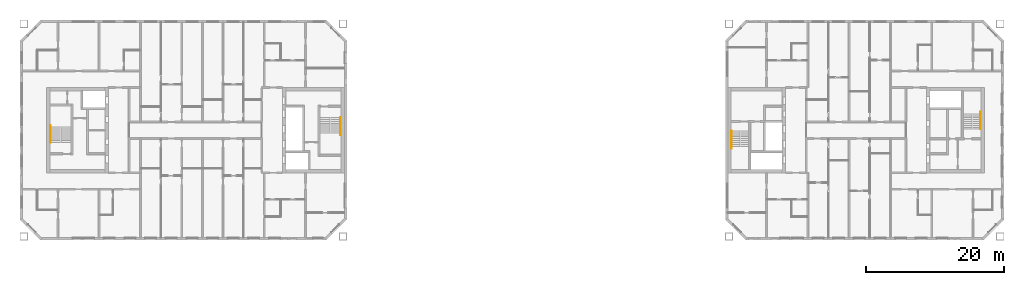
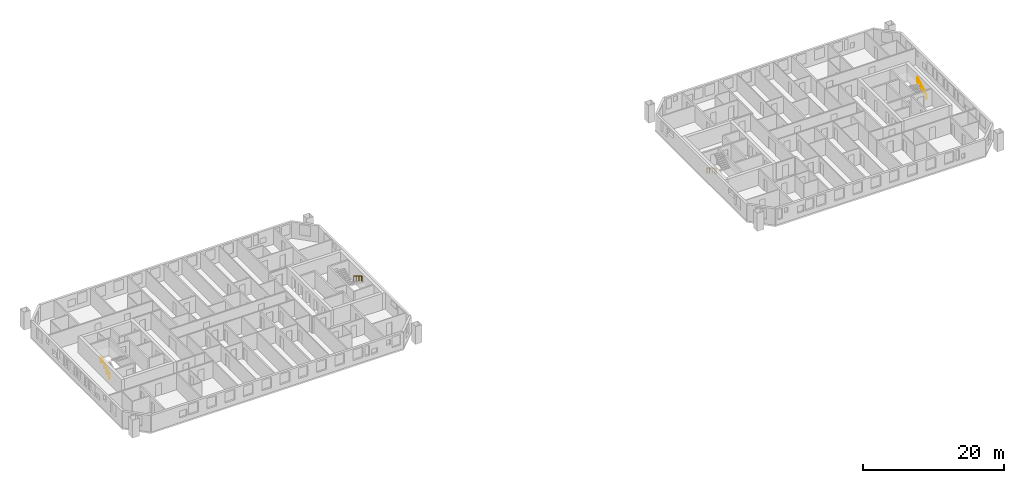
# One storey, part 16 of 16: 4 railings.
"""IFC4 building model written with IfcOpenShell, lengths in metres."""

from ifc_helpers import new_model, si_unit, direction, frame, origin, origin_2d, place, context, subcontext, project, spatial, circle, extrude, material, type_object, element, save


model = new_model("IFC4")

# Units and contexts
model_context = context("Model", 3, precision=1e-05, world=origin(), true_north=direction((0.0, 1.0)))
body_context = subcontext(model_context, "Body", "Model", "MODEL_VIEW")
ifc_project = project(units=[si_unit("LENGTHUNIT", "METRE"), si_unit("AREAUNIT", "SQUARE_METRE"), si_unit("VOLUMEUNIT", "CUBIC_METRE"), si_unit("PLANEANGLEUNIT", "RADIAN"), si_unit("MASSUNIT", "GRAM", prefix="KILO")], contexts=[model_context])

# Site, building, storey
site_placement = place(None, origin())
site = spatial("IfcSite", under=ifc_project, at=site_placement, CompositionType="ELEMENT")
building_placement = place(site_placement, origin())
building = spatial("IfcBuilding", under=site, at=building_placement, Name="Tuart Gate Housing", CompositionType="ELEMENT")
storey_placement = place(building_placement, frame((0.0, 0.0, 151.60009765625)))
storey = spatial("IfcBuildingStorey", under=building, at=storey_placement, Name="L42", CompositionType="ELEMENT", Elevation=151.60009765625)

# Railings
ifc_material = material(Name="Stainless steel", Category="steel")
railing_type = type_object("IfcRailingType", Name="Stair handrail 900", PredefinedType="HANDRAIL", material=ifc_material)
railing_1_placement = place(storey_placement, frame((75.080078125, 71.824951171875, 0.172119140625)))
element("IfcRailing", 1, at=railing_1_placement, inside=storey, type_object=railing_type, Name="Stair handrail SA1.1", PredefinedType="HANDRAIL", context=body_context, shape_type="SweptSolid", body=[
    extrude(circle(Radius=0.02392578125, at=origin_2d()), frame((0.0, 0.0, 0.8759765625), z_axis=(0.0, -0.85178898068, 0.523885037382), x_axis=(1.0, 0.0, 0.0)), (0.0, 0.0, 1.0), 2.629638671875),
    extrude(circle(Radius=0.02392578125, at=origin_2d()), frame((0.0, -2.239990234375, 2.25341796875), z_axis=(0.0, -1.0, 0.0), x_axis=(1.0, 0.0, 0.0)), (0.0, 0.0, 1.0), 0.300048828125),
    extrude(circle(Radius=0.02099609375, at=origin_2d()), origin(), (0.0, 0.0, 1.0), 0.851806640625),
    extrude(circle(Radius=0.02099609375, at=origin_2d()), frame((0.0, -0.74658203125, 0.459228515625)), (0.0, 0.0, 1.0), 0.851806640625),
    extrude(circle(Radius=0.02099609375, at=origin_2d()), frame((0.0, -1.493408203125, 0.91845703125)), (0.0, 0.0, 1.0), 0.851806640625),
    extrude(circle(Radius=0.02099609375, at=origin_2d()), frame((0.0, -2.239990234375, 1.377685546875)), (0.0, 0.0, 1.0), 0.851806640625),
    extrude(circle(Radius=0.02099609375, at=origin_2d()), frame((0.0, -2.5400390625, 1.377685546875)), (0.0, 0.0, 1.0), 0.851806640625),
])
railing_2_placement = place(storey_placement, frame((32.919921875, 68.175048828125, 0.172119140625)))
element("IfcRailing", 2, at=railing_2_placement, inside=storey, type_object=railing_type, Name="Stair handrail SA2.1", PredefinedType="HANDRAIL", context=body_context, shape_type="SweptSolid", body=[
    extrude(circle(Radius=0.02392578125, at=origin_2d()), frame((0.0, 0.0, 0.8759765625), z_axis=(0.0, 0.85178898068, 0.523885037382), x_axis=(-1.0, 0.0, 0.0)), (0.0, 0.0, 1.0), 2.629638671875),
    extrude(circle(Radius=0.02392578125, at=origin_2d()), frame((0.0, 2.239990234375, 2.25341796875), z_axis=(0.0, 1.0, 0.0), x_axis=(-1.0, 0.0, 0.0)), (0.0, 0.0, 1.0), 0.300048828125),
    extrude(circle(Radius=0.02099609375, at=origin_2d()), origin(), (0.0, 0.0, 1.0), 0.851806640625),
    extrude(circle(Radius=0.02099609375, at=origin_2d()), frame((0.0, 0.74658203125, 0.459228515625)), (0.0, 0.0, 1.0), 0.851806640625),
    extrude(circle(Radius=0.02099609375, at=origin_2d()), frame((0.0, 1.493408203125, 0.91845703125)), (0.0, 0.0, 1.0), 0.851806640625),
    extrude(circle(Radius=0.02099609375, at=origin_2d()), frame((0.0, 2.239990234375, 1.377685546875)), (0.0, 0.0, 1.0), 0.851806640625),
    extrude(circle(Radius=0.02099609375, at=origin_2d()), frame((0.0, 2.5400390625, 1.377685546875)), (0.0, 0.0, 1.0), 0.851806640625),
])
railing_3_placement = place(storey_placement, frame((131.919921875, 69.875, 0.172119140625)))
element("IfcRailing", 3, at=railing_3_placement, inside=storey, type_object=railing_type, Name="Stair handrail SB1.1", PredefinedType="HANDRAIL", context=body_context, shape_type="SweptSolid", body=[
    extrude(circle(Radius=0.02392578125, at=origin_2d()), frame((0.0, 0.0, 0.8759765625), z_axis=(0.0, -0.85178898068, 0.523885037382), x_axis=(1.0, 0.0, 0.0)), (0.0, 0.0, 1.0), 2.629638671875),
    extrude(circle(Radius=0.02392578125, at=origin_2d()), frame((0.0, -2.239990234375, 2.25341796875), z_axis=(0.0, -1.0, 0.0), x_axis=(1.0, 0.0, 0.0)), (0.0, 0.0, 1.0), 0.300048828125),
    extrude(circle(Radius=0.02099609375, at=origin_2d()), origin(), (0.0, 0.0, 1.0), 0.851806640625),
    extrude(circle(Radius=0.02099609375, at=origin_2d()), frame((0.0, -0.74658203125, 0.459228515625)), (0.0, 0.0, 1.0), 0.851806640625),
    extrude(circle(Radius=0.02099609375, at=origin_2d()), frame((0.0, -1.493408203125, 0.91845703125)), (0.0, 0.0, 1.0), 0.851806640625),
    extrude(circle(Radius=0.02099609375, at=origin_2d()), frame((0.0, -2.239990234375, 1.377685546875)), (0.0, 0.0, 1.0), 0.851806640625),
    extrude(circle(Radius=0.02099609375, at=origin_2d()), frame((0.0, -2.5400390625, 1.377685546875)), (0.0, 0.0, 1.0), 0.851806640625),
])
railing_4_placement = place(storey_placement, frame((168.080078125, 70.125, 0.172119140625)))
element("IfcRailing", 4, at=railing_4_placement, inside=storey, type_object=railing_type, Name="Stair handrail SB2.1", PredefinedType="HANDRAIL", context=body_context, shape_type="SweptSolid", body=[
    extrude(circle(Radius=0.02392578125, at=origin_2d()), frame((0.0, 0.0, 0.8759765625), z_axis=(0.0, 0.85178898068, 0.523885037382), x_axis=(-1.0, 0.0, 0.0)), (0.0, 0.0, 1.0), 2.629638671875),
    extrude(circle(Radius=0.02392578125, at=origin_2d()), frame((0.0, 2.239990234375, 2.25341796875), z_axis=(0.0, 1.0, 0.0), x_axis=(-1.0, 0.0, 0.0)), (0.0, 0.0, 1.0), 0.300048828125),
    extrude(circle(Radius=0.02099609375, at=origin_2d()), origin(), (0.0, 0.0, 1.0), 0.851806640625),
    extrude(circle(Radius=0.02099609375, at=origin_2d()), frame((0.0, 0.74658203125, 0.459228515625)), (0.0, 0.0, 1.0), 0.851806640625),
    extrude(circle(Radius=0.02099609375, at=origin_2d()), frame((0.0, 1.493408203125, 0.91845703125)), (0.0, 0.0, 1.0), 0.851806640625),
    extrude(circle(Radius=0.02099609375, at=origin_2d()), frame((0.0, 2.239990234375, 1.377685546875)), (0.0, 0.0, 1.0), 0.851806640625),
    extrude(circle(Radius=0.02099609375, at=origin_2d()), frame((0.0, 2.5400390625, 1.377685546875)), (0.0, 0.0, 1.0), 0.851806640625),
])

save(model, "model.ifc")
